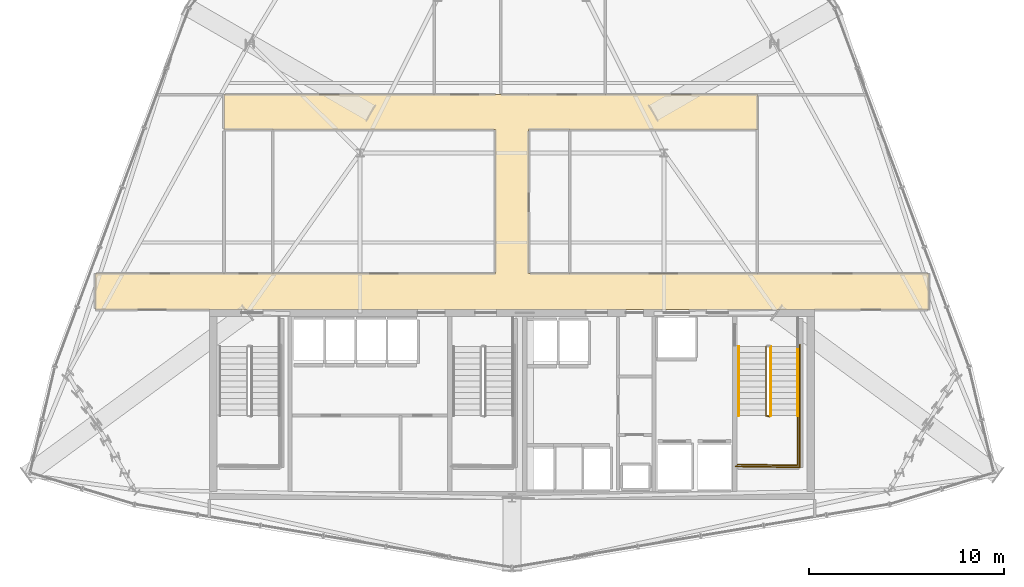
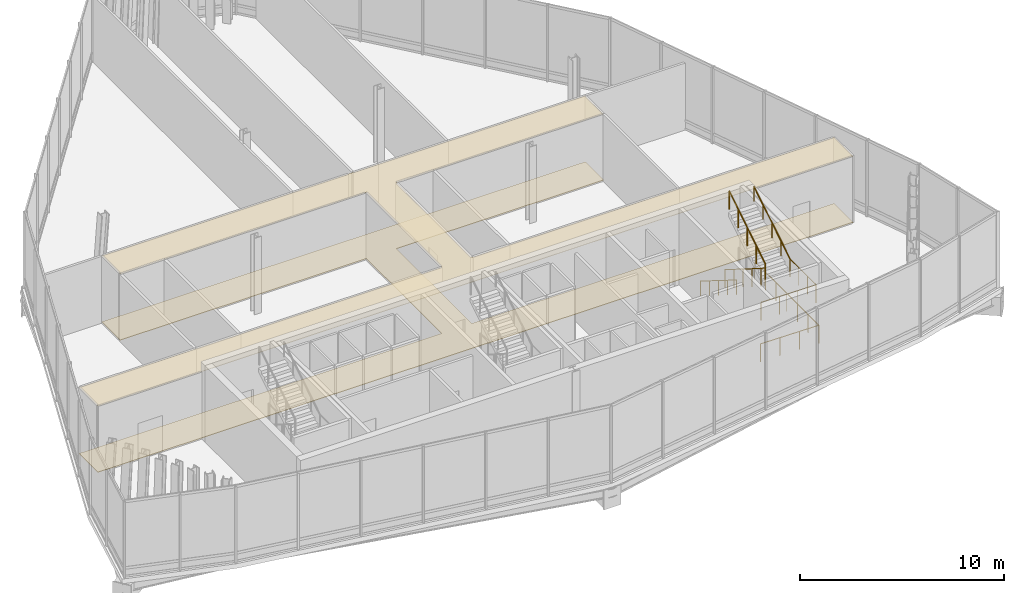
# One storey, part 27 of 28: 6 railings, 2 coverings.
"""IFC4 building model written with IfcOpenShell, lengths in metres."""

from ifc_helpers import new_model, si_unit, direction, frame, origin, origin_2d, place, context, subcontext, project, spatial, polyline, circle, outline, extrude, material, layer, layer_set, type_object, element, save


model = new_model("IFC4")

# Units and contexts
model_context = context("Model", 3, precision=1e-05, world=origin(), true_north=direction((0.0, 1.0)))
body_context = subcontext(model_context, "Body", "Model", "MODEL_VIEW")
ifc_project = project(units=[si_unit("LENGTHUNIT", "METRE"), si_unit("AREAUNIT", "SQUARE_METRE"), si_unit("VOLUMEUNIT", "CUBIC_METRE"), si_unit("PLANEANGLEUNIT", "RADIAN"), si_unit("MASSUNIT", "GRAM", prefix="KILO")], contexts=[model_context])

# Site, building, storey
site_placement = place(None, origin())
site = spatial("IfcSite", under=ifc_project, at=site_placement, CompositionType="ELEMENT")
building_placement = place(site_placement, origin())
building = spatial("IfcBuilding", under=site, at=building_placement, Name="Ndaravel Arena Tower", CompositionType="ELEMENT")
storey_placement = place(building_placement, frame((0.0, 0.0, 213.199951171875)))
storey = spatial("IfcBuildingStorey", under=building, at=storey_placement, Name="L51", CompositionType="ELEMENT", Elevation=213.199951171875)

# Coverings
ifc_material_1 = material(Name="Acoustic Ceiling Tile", Category="finish")
ifc_layer_1 = layer(ifc_material_1, 0.02490234375)
ifc_layer_set_1 = layer_set([ifc_layer_1], Name="Acoustic Ceiling Tile")
covering_type_1 = type_object("IfcCoveringType", Name="COV-CEIL-AC600", PredefinedType="CEILING", material=ifc_layer_set_1)
covering_1_placement = place(storey_placement, frame((0.0, 0.0, 3.98046875)))
element("IfcCovering", 1, at=covering_1_placement, inside=storey, type_object=covering_type_1, Name="L51 Corridor Acoustic Ceiling", PredefinedType="CEILING", context=body_context, shape_type="SweptSolid", body=[
    extrude(outline(polyline([(63.406982421875, 17.0), (42.85009765625, 17.0), (42.85009765625, 24.39990234375), (54.60009765625, 24.39990234375), (54.60009765625, 26.199951171875), (42.85009765625, 26.199951171875), (41.14990234375, 26.199951171875), (27.199951171875, 26.199951171875), (27.199951171875, 24.39990234375), (41.14990234375, 24.39990234375), (41.14990234375, 17.0), (20.593017578125, 17.0), (20.593017578125, 15.14990234375), (63.406982421875, 15.14990234375), (63.406982421875, 17.0)])), origin(), (0.0, 0.0, 1.0), 0.025146484375),
])
ifc_material_2 = material(Name="Terrazzo", Category="stone")
ifc_layer_2 = layer(ifc_material_2, 0.030029296875)
ifc_layer_set_2 = layer_set([ifc_layer_2], Name="Terrazzo")
covering_type_2 = type_object("IfcCoveringType", Name="COV-FLOOR-TERRAZZO", PredefinedType="FLOORING", material=ifc_layer_set_2)
covering_2_placement = place(storey_placement, origin())
element("IfcCovering", 2, at=covering_2_placement, inside=storey, type_object=covering_type_2, Name="L51 Corridor Terrazzo Flooring", PredefinedType="FLOORING", context=body_context, shape_type="SweptSolid", body=[
    extrude(outline(polyline([(63.406982421875, 17.0), (42.85009765625, 17.0), (42.85009765625, 24.39990234375), (54.60009765625, 24.39990234375), (54.60009765625, 26.199951171875), (42.85009765625, 26.199951171875), (41.14990234375, 26.199951171875), (27.199951171875, 26.199951171875), (27.199951171875, 24.39990234375), (41.14990234375, 24.39990234375), (41.14990234375, 17.0), (20.593017578125, 17.0), (20.593017578125, 15.14990234375), (63.406982421875, 15.14990234375), (63.406982421875, 17.0)])), origin(), (0.0, 0.0, 1.0), 0.030029296875),
])

# Railings
ifc_material_3 = material(Name="Steel S355", Category="steel")
ifc_layer_3 = layer(ifc_material_3, 0.06005859375)
ifc_layer_set_3 = layer_set([ifc_layer_3], Name="Steel S355")
railing_type_1 = type_object("IfcRailingType", Name="RAIL-STAIR-GD1100", PredefinedType="GUARDRAIL", material=ifc_layer_set_3)
railing_1_placement = place(storey_placement, frame((55.050048828125, 13.25, 0.1845703125)))
element("IfcRailing", 3, at=railing_1_placement, inside=storey, type_object=railing_type_1, Name="L51 ST-3 stair guard 1", PredefinedType="GUARDRAIL", context=body_context, shape_type="SweptSolid", body=[
    extrude(circle(Radius=0.02392578125, at=origin_2d()), frame((0.0, 0.0, 1.076171875), z_axis=(0.0, -0.847669714335, 0.530524321213), x_axis=(1.0, 0.0, 0.0)), (0.0, 0.0, 1.0), 4.17626953125),
    extrude(circle(Radius=0.02392578125, at=origin_2d()), frame((0.0, -3.5400390625, 3.29150390625), z_axis=(0.966993988697, -0.254799187253, 0.0), x_axis=(0.254799187253, 0.966993988697, 0.0)), (0.0, 0.0, 1.0), 0.196533203125),
    extrude(circle(Radius=0.02099609375, at=origin_2d()), origin(), (0.0, 0.0, 1.0), 1.052001953125),
    extrude(circle(Radius=0.02099609375, at=origin_2d()), frame((0.0, -0.885009765625, 0.553955078125)), (0.0, 0.0, 1.0), 1.052001953125),
    extrude(circle(Radius=0.02099609375, at=origin_2d()), frame((0.0, -1.77001953125, 1.10791015625)), (0.0, 0.0, 1.0), 1.052001953125),
    extrude(circle(Radius=0.02099609375, at=origin_2d()), frame((0.0, -2.655029296875, 1.66162109375)), (0.0, 0.0, 1.0), 1.052001953125),
    extrude(circle(Radius=0.02099609375, at=origin_2d()), frame((0.0, -3.5400390625, 2.215576171875)), (0.0, 0.0, 1.0), 1.052001953125),
    extrude(circle(Radius=0.02099609375, at=origin_2d()), frame((0.18994140625, -3.590087890625, 2.215576171875)), (0.0, 0.0, 1.0), 1.052001953125),
])
railing_2_placement = place(storey_placement, frame((56.68994140625, 9.7099609375, 2.400146484375)))
element("IfcRailing", 4, at=railing_2_placement, inside=storey, type_object=railing_type_1, Name="L51 ST-3 stair guard 2", PredefinedType="GUARDRAIL", context=body_context, shape_type="SweptSolid", body=[
    extrude(circle(Radius=0.02392578125, at=origin_2d()), frame((0.0, 0.0, 1.076171875), z_axis=(0.0, -1.0, 0.0), x_axis=(1.0, 0.0, 0.0)), (0.0, 0.0, 1.0), 2.56005859375),
    extrude(circle(Radius=0.02392578125, at=origin_2d()), frame((0.0, -2.56005859375, 1.076171875), z_axis=(-0.999868840623, 0.016195726322, 0.0), x_axis=(-0.016195726322, -0.999868840623, 0.0)), (0.0, 0.0, 1.0), 3.09033203125),
    extrude(circle(Radius=0.02099609375, at=origin_2d()), origin(), (0.0, 0.0, 1.0), 1.052001953125),
    extrude(circle(Radius=0.02099609375, at=origin_2d()), frame((0.0, -0.853271484375, 0.0)), (0.0, 0.0, 1.0), 1.052001953125),
    extrude(circle(Radius=0.02099609375, at=origin_2d()), frame((0.0, -1.706787109375, 0.0)), (0.0, 0.0, 1.0), 1.052001953125),
    extrude(circle(Radius=0.02099609375, at=origin_2d()), frame((0.0, -2.56005859375, 0.0)), (0.0, 0.0, 1.0), 1.052001953125),
    extrude(circle(Radius=0.02099609375, at=origin_2d()), frame((-1.030029296875, -2.54345703125, 0.0)), (0.0, 0.0, 1.0), 1.052001953125),
    extrude(circle(Radius=0.02099609375, at=origin_2d()), frame((-2.059814453125, -2.526611328125, 0.0)), (0.0, 0.0, 1.0), 1.052001953125),
    extrude(circle(Radius=0.02099609375, at=origin_2d()), frame((-3.08984375, -2.510009765625, 0.0)), (0.0, 0.0, 1.0), 1.052001953125),
])
railing_3_placement = place(storey_placement, frame((55.2900390625, 9.7099609375, 2.584716796875)))
element("IfcRailing", 5, at=railing_3_placement, inside=storey, type_object=railing_type_1, Name="L51 ST-3 stair guard 3", PredefinedType="GUARDRAIL", context=body_context, shape_type="SweptSolid", body=[
    extrude(circle(Radius=0.02392578125, at=origin_2d()), frame((0.0, 0.0, 1.076171875), z_axis=(0.0, 0.847696004112, 0.530482313194), x_axis=(-1.0, 0.0, 0.0)), (0.0, 0.0, 1.0), 4.176025390625),
    extrude(circle(Radius=0.02099609375, at=origin_2d()), origin(), (0.0, 0.0, 1.0), 1.052001953125),
    extrude(circle(Radius=0.02099609375, at=origin_2d()), frame((0.0, 0.885009765625, 0.5537109375)), (0.0, 0.0, 1.0), 1.052001953125),
    extrude(circle(Radius=0.02099609375, at=origin_2d()), frame((0.0, 1.77001953125, 1.107666015625)), (0.0, 0.0, 1.0), 1.052001953125),
    extrude(circle(Radius=0.02099609375, at=origin_2d()), frame((0.0, 2.655029296875, 1.66162109375)), (0.0, 0.0, 1.0), 1.052001953125),
    extrude(circle(Radius=0.02099609375, at=origin_2d()), frame((0.0, 3.5400390625, 2.21533203125)), (0.0, 0.0, 1.0), 1.052001953125),
])
railing_4_placement = place(storey_placement, frame((56.7900390625, 13.35009765625, 0.0)))
element("IfcRailing", 6, at=railing_4_placement, inside=storey, type_object=railing_type_1, Name="L51 ST-3 stair guard 6", PredefinedType="GUARDRAIL", context=body_context, shape_type="SweptSolid", body=[
    extrude(circle(Radius=0.02392578125, at=origin_2d()), frame((0.0, 0.0, 1.076171875), z_axis=(0.0, -1.0, 0.0), x_axis=(1.0, 0.0, 0.0)), (0.0, 0.0, 1.0), 6.300048828125),
    extrude(circle(Radius=0.02392578125, at=origin_2d()), frame((0.0, -6.300048828125, 1.076171875), z_axis=(-0.99988431412, 0.015210469308, 0.0), x_axis=(-0.015210469308, -0.99988431412, 0.0)), (0.0, 0.0, 1.0), 3.29052734375),
    extrude(circle(Radius=0.02099609375, at=origin_2d()), origin(), (0.0, 0.0, 1.0), 1.052001953125),
    extrude(circle(Radius=0.02099609375, at=origin_2d()), frame((0.0, -1.050048828125, 0.0)), (0.0, 0.0, 1.0), 1.052001953125),
    extrude(circle(Radius=0.02099609375, at=origin_2d()), frame((0.0, -2.10009765625, 0.0)), (0.0, 0.0, 1.0), 1.052001953125),
    extrude(circle(Radius=0.02099609375, at=origin_2d()), frame((0.0, -3.14990234375, 0.0)), (0.0, 0.0, 1.0), 1.052001953125),
    extrude(circle(Radius=0.02099609375, at=origin_2d()), frame((0.0, -4.199951171875, 0.0)), (0.0, 0.0, 1.0), 1.052001953125),
    extrude(circle(Radius=0.02099609375, at=origin_2d()), frame((0.0, -5.25, 0.0)), (0.0, 0.0, 1.0), 1.052001953125),
    extrude(circle(Radius=0.02099609375, at=origin_2d()), frame((0.0, -6.300048828125, 0.0)), (0.0, 0.0, 1.0), 1.052001953125),
    extrude(circle(Radius=0.02099609375, at=origin_2d()), frame((-1.0966796875, -6.283447265625, 0.0)), (0.0, 0.0, 1.0), 1.052001953125),
    extrude(circle(Radius=0.02099609375, at=origin_2d()), frame((-2.193359375, -6.2666015625, 0.0)), (0.0, 0.0, 1.0), 1.052001953125),
    extrude(circle(Radius=0.02099609375, at=origin_2d()), frame((-3.2900390625, -6.25, 0.0)), (0.0, 0.0, 1.0), 1.052001953125),
])
ifc_material_4 = material(Name="Steel S355", Category="steel")
ifc_layer_4 = layer(ifc_material_4, 0.050048828125)
ifc_layer_set_4 = layer_set([ifc_layer_4], Name="Steel S355")
railing_type_2 = type_object("IfcRailingType", Name="RAIL-STAIR-HR920", PredefinedType="HANDRAIL", material=ifc_layer_set_4)
railing_5_placement = place(storey_placement, frame((53.64990234375, 13.25, 0.1845703125)))
element("IfcRailing", 7, at=railing_5_placement, inside=storey, type_object=railing_type_2, Name="L51 ST-3 stair handrail 1", PredefinedType="HANDRAIL", context=body_context, shape_type="SweptSolid", body=[
    extrude(circle(Radius=0.02392578125, at=origin_2d()), frame((0.0, 0.0, 0.8759765625), z_axis=(0.0, -0.847669714335, 0.530524321213), x_axis=(1.0, 0.0, 0.0)), (0.0, 0.0, 1.0), 4.17626953125),
    extrude(circle(Radius=0.02099609375, at=origin_2d()), origin(), (0.0, 0.0, 1.0), 0.851806640625),
    extrude(circle(Radius=0.02099609375, at=origin_2d()), frame((0.0, -0.885009765625, 0.553955078125)), (0.0, 0.0, 1.0), 0.851806640625),
    extrude(circle(Radius=0.02099609375, at=origin_2d()), frame((0.0, -1.77001953125, 1.10791015625)), (0.0, 0.0, 1.0), 0.851806640625),
    extrude(circle(Radius=0.02099609375, at=origin_2d()), frame((0.0, -2.655029296875, 1.66162109375)), (0.0, 0.0, 1.0), 0.851806640625),
    extrude(circle(Radius=0.02099609375, at=origin_2d()), frame((0.0, -3.5400390625, 2.215576171875)), (0.0, 0.0, 1.0), 0.851806640625),
])
railing_6_placement = place(storey_placement, frame((56.68994140625, 9.7099609375, 2.584716796875)))
element("IfcRailing", 8, at=railing_6_placement, inside=storey, type_object=railing_type_2, Name="L51 ST-3 stair handrail 2", PredefinedType="HANDRAIL", context=body_context, shape_type="SweptSolid", body=[
    extrude(circle(Radius=0.02392578125, at=origin_2d()), frame((0.0, 0.0, 0.8759765625), z_axis=(0.0, 0.847696004112, 0.530482313194), x_axis=(-1.0, 0.0, 0.0)), (0.0, 0.0, 1.0), 4.176025390625),
    extrude(circle(Radius=0.02099609375, at=origin_2d()), origin(), (0.0, 0.0, 1.0), 0.851806640625),
    extrude(circle(Radius=0.02099609375, at=origin_2d()), frame((0.0, 0.885009765625, 0.5537109375)), (0.0, 0.0, 1.0), 0.851806640625),
    extrude(circle(Radius=0.02099609375, at=origin_2d()), frame((0.0, 1.77001953125, 1.107666015625)), (0.0, 0.0, 1.0), 0.851806640625),
    extrude(circle(Radius=0.02099609375, at=origin_2d()), frame((0.0, 2.655029296875, 1.66162109375)), (0.0, 0.0, 1.0), 0.851806640625),
    extrude(circle(Radius=0.02099609375, at=origin_2d()), frame((0.0, 3.5400390625, 2.21533203125)), (0.0, 0.0, 1.0), 0.851806640625),
])

save(model, "model.ifc")
